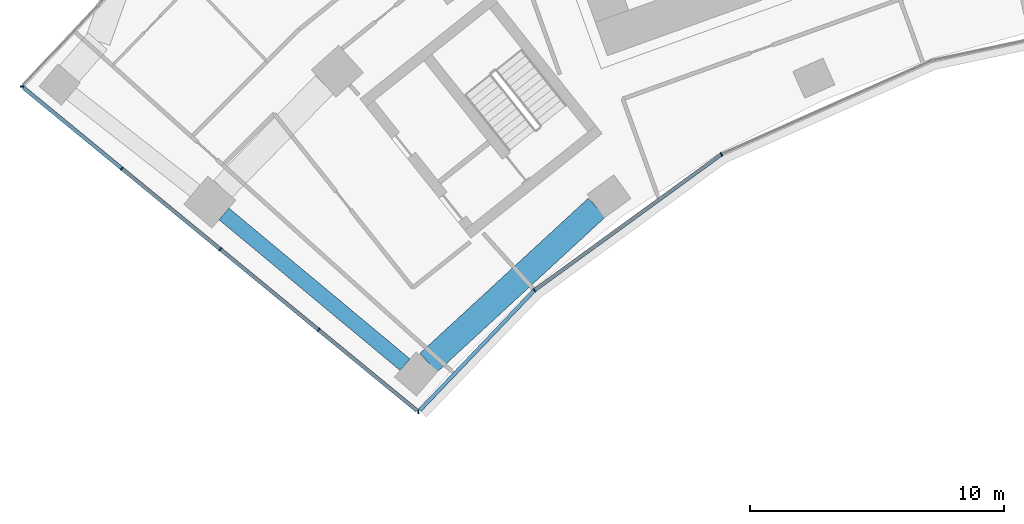
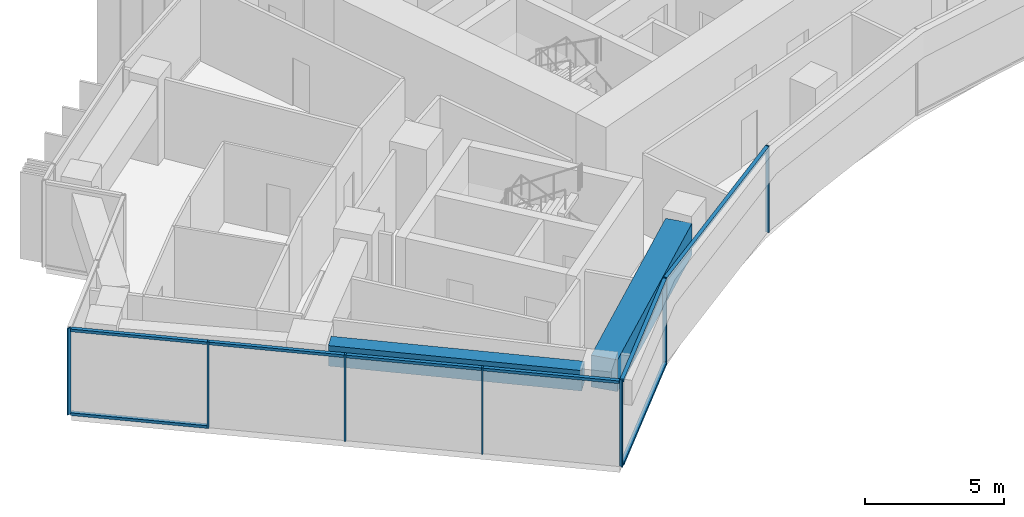
# One storey, part 2 of 22: 15 members, 2 beams, 2 elements without a shape of their own.
"""IFC4 building model written with IfcOpenShell, lengths in metres."""

from ifc_helpers import new_model, si_unit, direction, frame, origin, origin_2d, place, context, subcontext, project, spatial, rectangle, extrude, material, layer, layer_set, material_profile, profile_set, type_object, element, aggregate, save


model = new_model("IFC4")

# Units and contexts
model_context = context("Model", 3, precision=1e-05, world=origin(), true_north=direction((0.0, 1.0)))
body_context = subcontext(model_context, "Body", "Model", "MODEL_VIEW")
ifc_project = project(units=[si_unit("LENGTHUNIT", "METRE"), si_unit("AREAUNIT", "SQUARE_METRE"), si_unit("VOLUMEUNIT", "CUBIC_METRE"), si_unit("PLANEANGLEUNIT", "RADIAN"), si_unit("MASSUNIT", "GRAM", prefix="KILO")], contexts=[model_context])

# Site, building, storey
site_placement = place(None, origin())
site = spatial("IfcSite", under=ifc_project, at=site_placement, CompositionType="ELEMENT")
building_placement = place(site_placement, origin())
building = spatial("IfcBuilding", under=site, at=building_placement, Name="Stone Belt Terrace Tower", CompositionType="ELEMENT")
storey_placement = place(building_placement, frame((0.0, 0.0, 109.800048828125)))
storey = spatial("IfcBuildingStorey", under=building, at=storey_placement, Name="L26", CompositionType="ELEMENT", Elevation=109.800048828125)

# Curtain wall, members
ifc_material_1 = material(Name="Aluminium 6063-T6 anodised frame", Category="aluminium")
ifc_layer_1 = layer(ifc_material_1, 0.14990234375)
ifc_layer_set_1 = layer_set([ifc_layer_1], Name="CW-B unitised concave-face curtain wall")
curtain_wall_type_1 = type_object("IfcCurtainWallType", Name="CW-B unitised concave-face curtain wall", PredefinedType="NOTDEFINED", material=ifc_layer_set_1)
curtain_wall_1_placement = place(storey_placement, origin())
curtain_wall_1 = element("IfcCurtainWall", 1, at=curtain_wall_1_placement, inside=storey, type_object=curtain_wall_type_1, Name="CW-B concave face L26", PredefinedType="NOTDEFINED")
ifc_material_profile_1 = material_profile(ifc_material_1, rectangle(XDim=0.14990234375, YDim=0.050048828125, at=origin_2d()), Name="Aluminium 6063-T6 50x150")
ifc_profile_set_1 = profile_set([ifc_material_profile_1], Name="Aluminium 6063-T6 anodised frame")
member_type_1 = type_object("IfcMemberType", Name="CW-B mullion 50 x 150", PredefinedType="MULLION", material=ifc_profile_set_1)
member_1_placement = place(storey_placement, frame((-33.62158203125, 27.491943359375, 0.0), z_axis=(0.0, 0.0, 1.0), x_axis=(-0.060551617529, 0.998165067318, 0.0)))
member_1 = element("IfcMember", 2, at=member_1_placement, type_object=member_type_1, Name="CW-B mullion 1", PredefinedType="MULLION", context=body_context, shape_type="SweptSolid", body=[
    extrude(rectangle(XDim=0.14990234375, YDim=0.050048828125, at=origin_2d()), origin(), (0.0, 0.0, 1.0), 3.800048828125),
])
member_2_placement = place(storey_placement, frame((-29.0576171875, 32.27001953125, 0.0), z_axis=(0.0, 0.0, 1.0), x_axis=(-0.658126677279, 0.752907216497, 0.0)))
member_2 = element("IfcMember", 3, at=member_2_placement, type_object=member_type_1, Name="CW-B mullion 2", PredefinedType="MULLION", context=body_context, shape_type="SweptSolid", body=[
    extrude(rectangle(XDim=0.14990234375, YDim=0.050048828125, at=origin_2d()), origin(), (0.0, 0.0, 1.0), 3.800048828125),
])
member_3_placement = place(storey_placement, frame((-21.71240234375, 37.606689453125, 0.0), z_axis=(0.0, 0.0, 1.0), x_axis=(-0.5, 0.866025403784, 0.0)))
member_3 = element("IfcMember", 4, at=member_3_placement, type_object=member_type_1, Name="CW-B mullion 3", PredefinedType="MULLION", context=body_context, shape_type="SweptSolid", body=[
    extrude(rectangle(XDim=0.14990234375, YDim=0.050048828125, at=origin_2d()), origin(), (0.0, 0.0, 1.0), 3.800048828125),
])
ifc_material_profile_2 = material_profile(ifc_material_1, rectangle(XDim=0.14990234375, YDim=0.1201171875, at=origin_2d()), Name="Aluminium 6063-T6 150x120")
ifc_profile_set_2 = profile_set([ifc_material_profile_2], Name="Aluminium 6063-T6 anodised frame")
member_type_2 = type_object("IfcMemberType", Name="CW-B transom 120 x 150", PredefinedType="USERDEFINED", material=ifc_profile_set_2)
member_4_placement = place(storey_placement, frame((-33.57373046875, 27.5419921875, 0.06005859375), z_axis=(0.690692568637, 0.72314851561, 0.0), x_axis=(-0.72314851561, 0.690692568637, 0.0)))
member_4 = element("IfcMember", 5, at=member_4_placement, type_object=member_type_2, Name="CW-B transom 1.1", ObjectType="TRANSOM", PredefinedType="USERDEFINED", context=body_context, shape_type="SweptSolid", body=[
    extrude(rectangle(XDim=0.14990234375, YDim=0.1201171875, at=origin_2d()), origin(), (0.0, 0.0, 1.0), 6.5068359375),
])
member_5_placement = place(storey_placement, frame((-33.57373046875, 27.5419921875, 3.739990234375), z_axis=(0.690692568637, 0.72314851561, 0.0), x_axis=(-0.72314851561, 0.690692568637, 0.0)))
member_5 = element("IfcMember", 6, at=member_5_placement, type_object=member_type_2, Name="CW-B transom 1.2", ObjectType="TRANSOM", PredefinedType="USERDEFINED", context=body_context, shape_type="SweptSolid", body=[
    extrude(rectangle(XDim=0.14990234375, YDim=0.1201171875, at=origin_2d()), origin(), (0.0, 0.0, 1.0), 6.5068359375),
])
member_6_placement = place(storey_placement, frame((-29.031982421875, 32.288818359375, 3.739990234375), z_axis=(0.809017057982, 0.587785164745, 0.0), x_axis=(-0.587785164745, 0.809017057982, 0.0)))
member_6 = element("IfcMember", 7, at=member_6_placement, type_object=member_type_2, Name="CW-B transom 2.1", ObjectType="TRANSOM", PredefinedType="USERDEFINED", context=body_context, shape_type="SweptSolid", body=[
    extrude(rectangle(XDim=0.14990234375, YDim=0.1201171875, at=origin_2d()), origin(), (0.0, 0.0, 1.0), 9.014892578125),
])
aggregate(curtain_wall_1, [member_1, member_2, member_3, member_4, member_5, member_6])

ifc_layer_2 = layer(ifc_material_1, 0.14990234375)
ifc_layer_set_2 = layer_set([ifc_layer_2], Name="CW-C stick curtain wall, horn ends and notches")
curtain_wall_type_2 = type_object("IfcCurtainWallType", Name="CW-C stick curtain wall, horn ends and notches", PredefinedType="NOTDEFINED", material=ifc_layer_set_2)
curtain_wall_2_placement = place(storey_placement, origin())
curtain_wall_2 = element("IfcCurtainWall", 8, at=curtain_wall_2_placement, inside=storey, type_object=curtain_wall_type_2, Name="CW-C end face L26", PredefinedType="NOTDEFINED")
ifc_material_profile_3 = material_profile(ifc_material_1, rectangle(XDim=0.14990234375, YDim=0.06005859375, at=origin_2d()), Name="Aluminium 6063-T6 60x150")
ifc_profile_set_3 = profile_set([ifc_material_profile_3], Name="Aluminium 6063-T6 anodised frame")
member_type_3 = type_object("IfcMemberType", Name="CW-C mullion 60 x 150", PredefinedType="MULLION", material=ifc_profile_set_3)
member_7_placement = place(storey_placement, frame((-49.1982421875, 40.273681640625, 0.0), z_axis=(0.0, 0.0, 1.0), x_axis=(0.997926804019, 0.064359100521, 0.0)))
member_7 = element("IfcMember", 9, at=member_7_placement, type_object=member_type_3, Name="CW-C mullion 1", PredefinedType="MULLION", context=body_context, shape_type="SweptSolid", body=[
    extrude(rectangle(XDim=0.14990234375, YDim=0.06005859375, at=origin_2d()), origin(), (0.0, 0.0, 1.0), 3.800048828125),
])
member_8_placement = place(storey_placement, frame((-45.27099609375, 37.05126953125, 0.0), z_axis=(0.0, 0.0, 1.0), x_axis=(0.634344250973, 0.77305069126, 0.0)))
member_8 = element("IfcMember", 10, at=member_8_placement, type_object=member_type_3, Name="CW-C mullion 2", PredefinedType="MULLION", context=body_context, shape_type="SweptSolid", body=[
    extrude(rectangle(XDim=0.14990234375, YDim=0.06005859375, at=origin_2d()), origin(), (0.0, 0.0, 1.0), 3.800048828125),
])
member_9_placement = place(storey_placement, frame((-41.40576171875, 33.87939453125, 0.0), z_axis=(0.0, 0.0, 1.0), x_axis=(0.634344250973, 0.77305069126, 0.0)))
member_9 = element("IfcMember", 11, at=member_9_placement, type_object=member_type_3, Name="CW-C mullion 3", PredefinedType="MULLION", context=body_context, shape_type="SweptSolid", body=[
    extrude(rectangle(XDim=0.14990234375, YDim=0.06005859375, at=origin_2d()), origin(), (0.0, 0.0, 1.0), 3.800048828125),
])
member_10_placement = place(storey_placement, frame((-37.54052734375, 30.707763671875, 0.0), z_axis=(0.0, 0.0, 1.0), x_axis=(0.634344250973, 0.77305069126, 0.0)))
member_10 = element("IfcMember", 12, at=member_10_placement, type_object=member_type_3, Name="CW-C mullion 4", PredefinedType="MULLION", context=body_context, shape_type="SweptSolid", body=[
    extrude(rectangle(XDim=0.14990234375, YDim=0.06005859375, at=origin_2d()), origin(), (0.0, 0.0, 1.0), 3.800048828125),
])
ifc_material_profile_4 = material_profile(ifc_material_1, rectangle(XDim=0.14990234375, YDim=0.1201171875, at=origin_2d()), Name="Aluminium 6063-T6 150x120")
ifc_profile_set_4 = profile_set([ifc_material_profile_4], Name="Aluminium 6063-T6 anodised frame")
member_type_4 = type_object("IfcMemberType", Name="CW-C transom 120 x 150", PredefinedType="USERDEFINED", material=ifc_profile_set_4)
member_11_placement = place(storey_placement, frame((-49.14013671875, 40.22607421875, 0.06005859375), z_axis=(0.773038199103, -0.634359474374, 0.0), x_axis=(0.634359474374, 0.773038199103, 0.0)))
member_11 = element("IfcMember", 13, at=member_11_placement, type_object=member_type_4, Name="CW-C transom 1.1", ObjectType="TRANSOM", PredefinedType="USERDEFINED", context=body_context, shape_type="SweptSolid", body=[
    extrude(rectangle(XDim=0.14990234375, YDim=0.1201171875, at=origin_2d()), origin(), (0.0, 0.0, 1.0), 4.97509765625),
])
member_12_placement = place(storey_placement, frame((-49.14013671875, 40.22607421875, 3.739990234375), z_axis=(0.773038199103, -0.634359474374, 0.0), x_axis=(0.634359474374, 0.773038199103, 0.0)))
member_12 = element("IfcMember", 14, at=member_12_placement, type_object=member_type_4, Name="CW-C transom 1.2", ObjectType="TRANSOM", PredefinedType="USERDEFINED", context=body_context, shape_type="SweptSolid", body=[
    extrude(rectangle(XDim=0.14990234375, YDim=0.1201171875, at=origin_2d()), origin(), (0.0, 0.0, 1.0), 4.97509765625),
])
member_13_placement = place(storey_placement, frame((-45.247802734375, 37.0322265625, 3.739990234375), z_axis=(0.773036085282, -0.634362050293, 0.0), x_axis=(0.634362050293, 0.773036085282, 0.0)))
member_13 = element("IfcMember", 15, at=member_13_placement, type_object=member_type_4, Name="CW-C transom 2.1", ObjectType="TRANSOM", PredefinedType="USERDEFINED", context=body_context, shape_type="SweptSolid", body=[
    extrude(rectangle(XDim=0.14990234375, YDim=0.1201171875, at=origin_2d()), origin(), (0.0, 0.0, 1.0), 4.940185546875),
])
member_14_placement = place(storey_placement, frame((-41.382568359375, 33.8603515625, 3.739990234375), z_axis=(0.773060320557, -0.634332515941, 0.0), x_axis=(0.634332515941, 0.773060320557, 0.0)))
member_14 = element("IfcMember", 16, at=member_14_placement, type_object=member_type_4, Name="CW-C transom 3.1", ObjectType="TRANSOM", PredefinedType="USERDEFINED", context=body_context, shape_type="SweptSolid", body=[
    extrude(rectangle(XDim=0.14990234375, YDim=0.1201171875, at=origin_2d()), origin(), (0.0, 0.0, 1.0), 4.93994140625),
])
member_15_placement = place(storey_placement, frame((-37.517333984375, 30.688720703125, 3.739990234375), z_axis=(0.773034430159, -0.634364067227, 0.0), x_axis=(0.634364067227, 0.773034430159, 0.0)))
member_15 = element("IfcMember", 17, at=member_15_placement, type_object=member_type_4, Name="CW-C transom 4.1", ObjectType="TRANSOM", PredefinedType="USERDEFINED", context=body_context, shape_type="SweptSolid", body=[
    extrude(rectangle(XDim=0.14990234375, YDim=0.1201171875, at=origin_2d()), origin(), (0.0, 0.0, 1.0), 4.966552734375),
])
aggregate(curtain_wall_2, [member_7, member_8, member_9, member_10, member_11, member_12, member_13, member_14, member_15])

# Beams
ifc_material_2 = material(Name="Concrete B60", Category="concrete")
ifc_material_profile_5 = material_profile(ifc_material_2, rectangle(XDim=0.60009765625, YDim=0.89990234375, at=origin_2d()), Name="RC 600x900")
ifc_profile_set_5 = profile_set([ifc_material_profile_5], Name="Concrete B60")
beam_type_1 = type_object("IfcBeamType", Name="Edge beam RC 600x900 B60", PredefinedType="SPANDREL", material=ifc_profile_set_5)
beam_1_placement = place(storey_placement, frame((-34.144287109375, 29.34228515625, 3.030029296875), z_axis=(-0.768519558675, 0.639826295126, 0.0), x_axis=(-0.639826295126, -0.768519558675, 0.0)))
element("IfcBeam", 18, at=beam_1_placement, inside=storey, type_object=beam_type_1, Name="Edge beam L26 A P to Q", PredefinedType="SPANDREL", context=body_context, shape_type="SweptSolid", body=[
    extrude(rectangle(XDim=0.60009765625, YDim=0.89990234375, at=origin_2d()), origin(), (0.0, 0.0, 1.0), 9.255859375),
])
ifc_material_3 = material(Name="Concrete B80", Category="concrete")
ifc_material_profile_6 = material_profile(ifc_material_3, rectangle(XDim=1.0, YDim=1.39990234375, at=origin_2d()), Name="RC 1000x1400")
ifc_profile_set_6 = profile_set([ifc_material_profile_6], Name="Concrete B80")
beam_type_2 = type_object("IfcBeamType", Name="Transfer beam RC 1000x1400 B80", PredefinedType="BEAM", material=ifc_profile_set_6)
beam_2_placement = place(storey_placement, frame((-33.220947265625, 29.41796875, 2.780029296875), z_axis=(0.735433694977, 0.677596694423, 0.0), x_axis=(-0.677596694423, 0.735433694977, 0.0)))
element("IfcBeam", 19, at=beam_2_placement, inside=storey, type_object=beam_type_2, Name="Transfer beam L26 PPA-P16", PredefinedType="BEAM", context=body_context, shape_type="SweptSolid", body=[
    extrude(rectangle(XDim=1.0, YDim=1.39990234375, at=origin_2d()), origin(), (0.0, 0.0, 1.0), 8.995361328125),
])

save(model, "model.ifc")
